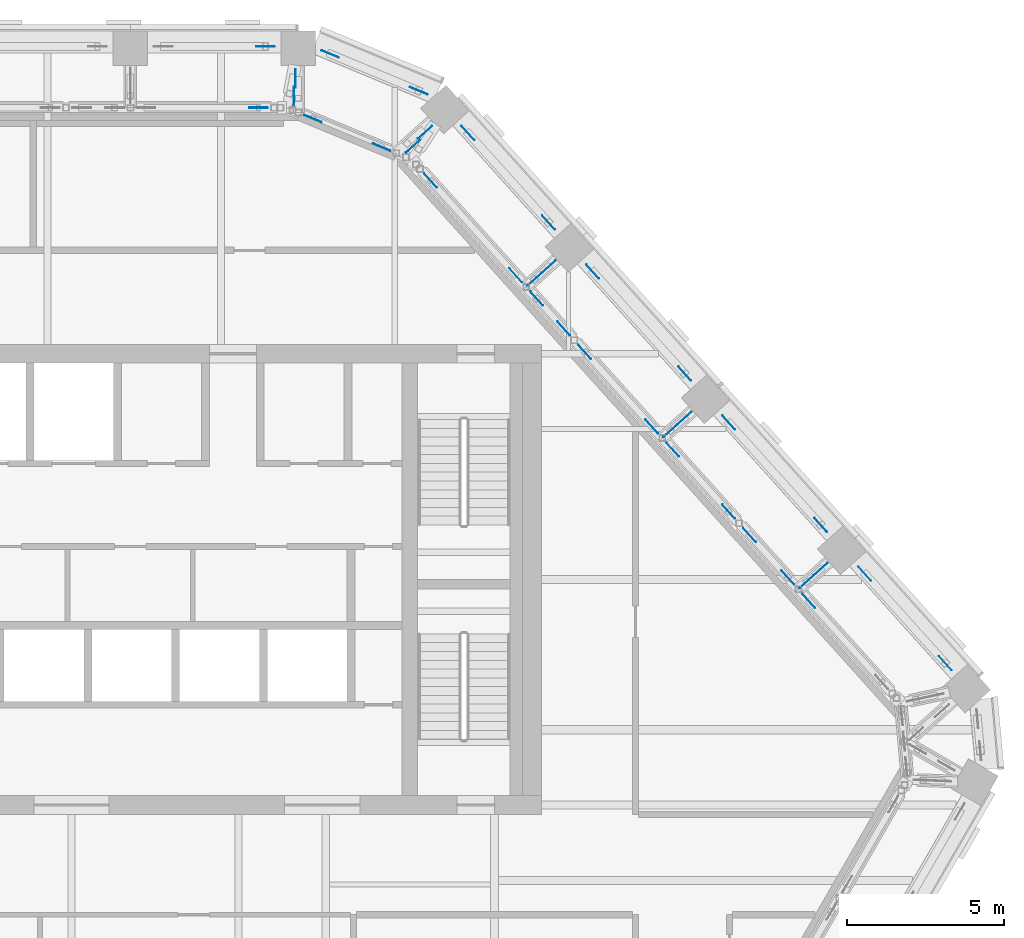
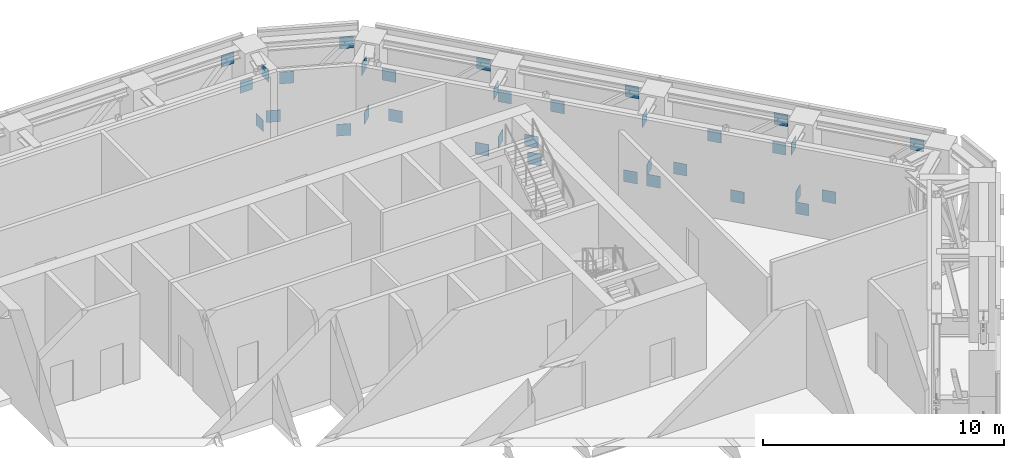
# One storey, part 23 of 25: 35 discrete accessories.
"""IFC4 building model written with IfcOpenShell, lengths in metres."""

from ifc_helpers import new_model, si_unit, direction, frame, origin, origin_2d, place, context, subcontext, project, spatial, rectangle, extrude, material, type_object, element, save


model = new_model("IFC4")

# Units and contexts
model_context = context("Model", 3, precision=1e-05, world=origin(), true_north=direction((0.0, 1.0)))
body_context = subcontext(model_context, "Body", "Model", "MODEL_VIEW")
ifc_project = project(units=[si_unit("LENGTHUNIT", "METRE"), si_unit("AREAUNIT", "SQUARE_METRE"), si_unit("VOLUMEUNIT", "CUBIC_METRE"), si_unit("PLANEANGLEUNIT", "RADIAN"), si_unit("MASSUNIT", "GRAM", prefix="KILO")], contexts=[model_context])

# Site, building, storey
site_placement = place(None, origin())
site = spatial("IfcSite", under=ifc_project, at=site_placement, CompositionType="ELEMENT")
building_placement = place(site_placement, origin())
building = spatial("IfcBuilding", under=site, at=building_placement, Name="Isthmus Gate Tower", CompositionType="ELEMENT")
storey_placement = place(building_placement, frame((0.0, 0.0, 256.449951171875)))
storey = spatial("IfcBuildingStorey", under=building, at=storey_placement, Name="L65", CompositionType="ELEMENT", Elevation=256.449951171875)

# Discrete accessories
ifc_material = material(Name="Structural steel ASTM A992 Gr 50", Category="steel")
discrete_accessory_type = type_object("IfcDiscreteAccessoryType", Name="GUSSET PLATE 600 X 20", PredefinedType="USERDEFINED", material=ifc_material)
for number, where, z_axis, x_axis, name in (
    (1, (8.252685546875, 24.2666015625, 0.14453125), (0.0, 0.0, 1.0), (0.923353128387, -0.383951820282, 0.0), "GUSSET PLATE"),
    (2, (11.081298828125, 23.09033203125, 3.60546875), (0.0, 0.0, 1.0), (0.923353128387, -0.383951820282, 0.0), "GUSSET PLATE"),
    (3, (12.6533203125, 21.7451171875, 0.14453125), (0.0, 0.0, 1.0), (0.669130606359, -0.743144825477, 0.0), "GUSSET PLATE"),
    (4, (15.22412109375, 18.89013671875, 3.60546875), (0.0, 0.0, 1.0), (0.669130606359, -0.743144825477, 0.0), "GUSSET PLATE"),
    (5, (16.62939453125, 17.32958984375, 0.14453125), (0.0, 0.0, 1.0), (0.669130606359, -0.743144825477, 0.0), "GUSSET PLATE"),
    (6, (19.568115234375, 14.065673828125, 3.60546875), (0.0, 0.0, 1.0), (0.669130606359, -0.743144825477, 0.0), "GUSSET PLATE"),
    (7, (20.97314453125, 12.505126953125, 0.14453125), (0.0, 0.0, 1.0), (0.669130606359, -0.743144825477, 0.0), "GUSSET PLATE"),
    (8, (23.911865234375, 9.2412109375, 3.60546875), (0.0, 0.0, 1.0), (0.669130606359, -0.743144825477, 0.0), "GUSSET PLATE"),
    (9, (25.317138671875, 7.6806640625, 0.14453125), (0.0, 0.0, 1.0), (0.669130606359, -0.743144825477, 0.0), "GUSSET PLATE"),
    (10, (27.887939453125, 4.82568359375, 3.60546875), (0.0, 0.0, 1.0), (0.669130606359, -0.743144825477, 0.0), "GUSSET PLATE"),
    (11, (6.191162109375, 24.5, 3.60546875), (0.0, 0.0, 1.0), (1.0, 0.0, 0.0), "GUSSET PLATE"),
    (12, (7.150634765625, 23.486083984375, 0.68115234375), (0.0, 0.0, 1.0), (0.0, -1.0, 0.0), "GUSSET PLATE"),
    (13, (7.099365234375, 22.923828125, 3.543701171875), (0.0, 0.0, 1.0), (0.0, -1.0, 0.0), "GUSSET PLATE"),
    (14, (23.90625, 7.8232421875, 0.68115234375), (0.0, 0.0, 1.0), (-0.743144825477, -0.669130606359, 0.0), "GUSSET PLATE"),
    (15, (23.460205078125, 7.421875, 3.543701171875), (0.0, 0.0, 1.0), (-0.743144825477, -0.669130606359, 0.0), "GUSSET PLATE"),
    (16, (19.562255859375, 12.647705078125, 0.68115234375), (0.0, 0.0, 1.0), (-0.743144825477, -0.669130606359, 0.0), "GUSSET PLATE"),
    (17, (19.116455078125, 12.24609375, 3.543701171875), (0.0, 0.0, 1.0), (-0.743144825477, -0.669130606359, 0.0), "GUSSET PLATE"),
    (18, (15.21826171875, 17.47216796875, 0.68115234375), (0.0, 0.0, 1.0), (-0.743144825477, -0.669130606359, 0.0), "GUSSET PLATE"),
    (19, (14.7724609375, 17.070556640625, 3.543701171875), (0.0, 0.0, 1.0), (-0.743144825477, -0.669130606359, 0.0), "GUSSET PLATE"),
    (20, (11.278076171875, 21.76220703125, 0.68115234375), (0.0, 0.0, 1.0), (-0.743144825477, -0.669130606359, 0.0), "GUSSET PLATE"),
    (21, (10.8955078125, 21.319580078125, 3.543701171875), (0.0, 0.0, 1.0), (-0.743144825477, -0.669130606359, 0.0), "GUSSET PLATE"),
    (22, (9.90283203125, 21.288818359375, 0.68115234375), (0.0, 0.0, 1.0), (-0.923353128387, 0.383951820282, 0.0), "GUSSET PLATE"),
    (23, (7.702392578125, 22.20361328125, 3.543701171875), (0.0, 0.0, 1.0), (-0.923353128387, 0.383951820282, 0.0), "GUSSET PLATE"),
    (24, (14.17578125, 17.20556640625, 0.68115234375), (0.0, 0.0, 1.0), (-0.669130606359, 0.743144825477, 0.0), "GUSSET PLATE"),
    (25, (11.45849609375, 20.223388671875, 3.543701171875), (0.0, 0.0, 1.0), (-0.669130606359, 0.743144825477, 0.0), "GUSSET PLATE"),
    (26, (15.710693359375, 15.500732421875, 0.68115234375), (0.0, 0.0, 1.0), (-0.669130606359, 0.743144825477, 0.0), "GUSSET PLATE"),
    (27, (14.844970703125, 16.46240234375, 3.543701171875), (0.0, 0.0, 1.0), (-0.669130606359, 0.743144825477, 0.0), "GUSSET PLATE"),
    (28, (18.51904296875, 12.3818359375, 0.68115234375), (0.0, 0.0, 1.0), (-0.669130606359, 0.743144825477, 0.0), "GUSSET PLATE"),
    (29, (16.3798828125, 14.757568359375, 3.543701171875), (0.0, 0.0, 1.0), (-0.669130606359, 0.743144825477, 0.0), "GUSSET PLATE"),
    (30, (19.188232421875, 11.638671875, 0.68115234375), (0.0, 0.0, 1.0), (0.669130606359, -0.743144825477, 0.0), "GUSSET PLATE"),
    (31, (20.968017578125, 9.661865234375, 3.543701171875), (0.0, 0.0, 1.0), (0.669130606359, -0.743144825477, 0.0), "GUSSET PLATE"),
    (32, (21.63720703125, 8.918701171875, 0.68115234375), (0.0, 0.0, 1.0), (0.669130606359, -0.743144825477, 0.0), "GUSSET PLATE"),
    (33, (22.863037109375, 7.557373046875, 3.543701171875), (0.0, 0.0, 1.0), (0.669130606359, -0.743144825477, 0.0), "GUSSET PLATE"),
    (34, (23.5322265625, 6.814208984375, 0.68115234375), (0.0, 0.0, 1.0), (0.669130606359, -0.743144825477, 0.0), "GUSSET PLATE"),
    (35, (5.96923828125, 22.550048828125, 3.543701171875), (0.0, 0.0, 1.0), (1.0, 0.0, 0.0), "GUSSET PLATE"),
):
    element("IfcDiscreteAccessory", number, at=place(storey_placement, frame(where, z_axis=z_axis, x_axis=x_axis)), inside=storey, type_object=discrete_accessory_type, Name=name, ObjectType="GUSSET PLATE", PredefinedType="USERDEFINED", context=body_context, shape_type="SweptSolid", body=[
        extrude(rectangle(XDim=0.60009765625, YDim=0.02001953125, at=origin_2d()), origin(), (0.0, 0.0, 1.0), 0.60009765625),
    ])

save(model, "model.ifc")
